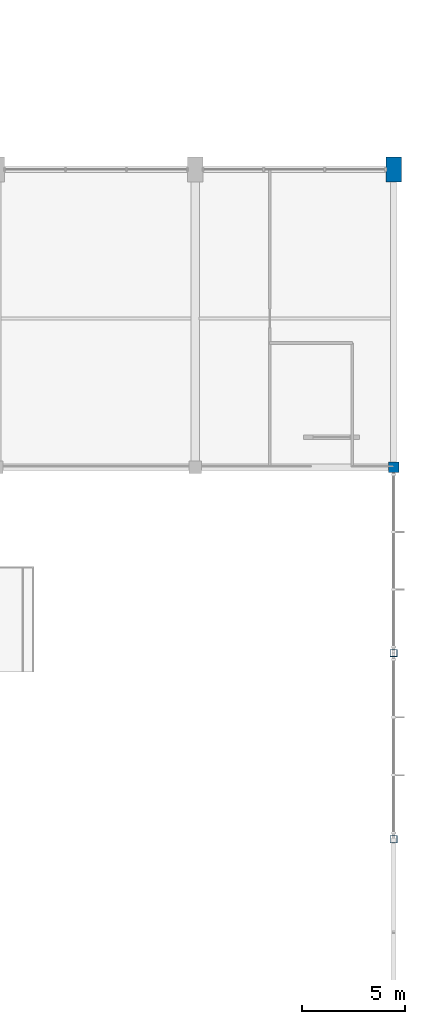
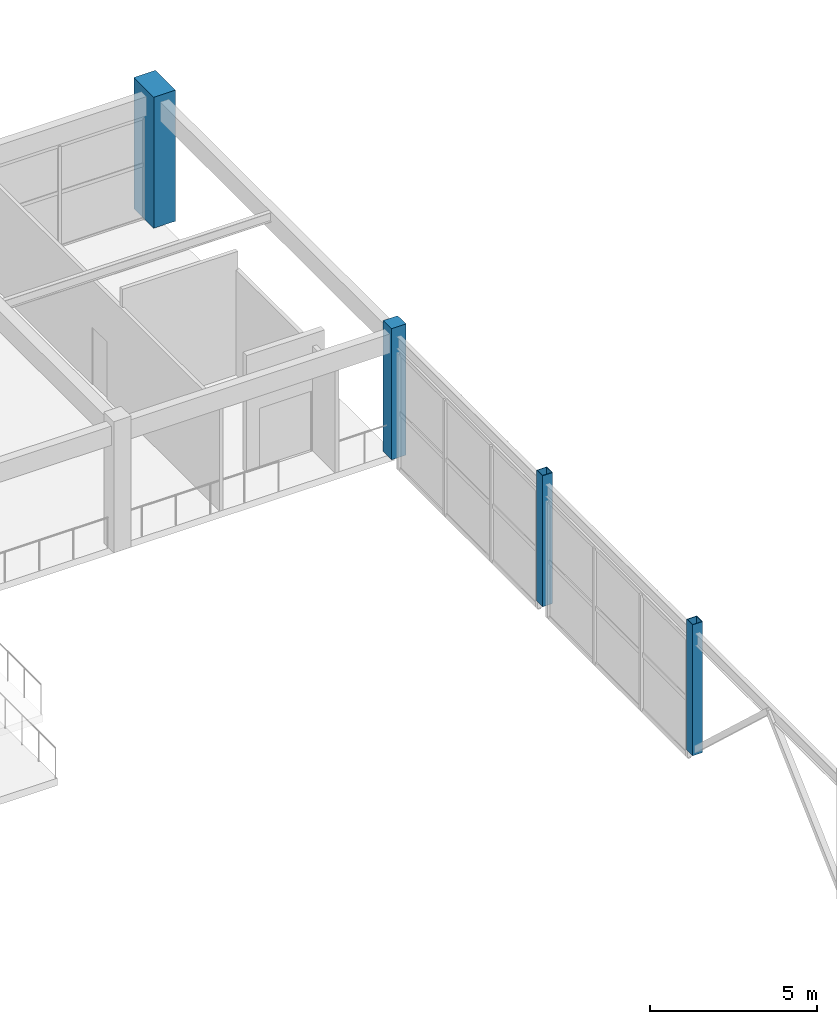
# One storey, part 12 of 74: 4 columns.
"""IFC4 building model written with IfcOpenShell, lengths in metres."""

import ifcopenshell
import ifcopenshell.guid

model = None  # the IFC model being written
_history = None  # IfcOwnerHistory: only IFC2X3 demands one
_inside = {}  # id of a spatial element -> (the spatial element, [elements in it])
_under = {}  # id of a project, library or spatial element -> (it, [spatial elements below it])
_declared = {}  # id of a project -> (the project, [libraries it declares])
_typed = {}  # id of a type object -> (the type object, [elements of that type])
_made_of = {}  # id of a material, layer set ... -> (it, [elements and type objects made of it])


def new_model(schema):
    """Start an empty IFC model of exactly this schema.

    Asked for "IFC4X3", IfcOpenShell would pick the latest addendum, in which some entities
    have other attributes; the version numbers below select the first issue.
    IFC2X3 requires an IfcOwnerHistory on every rooted entity: one is made here for all.
    """
    global model, _history
    if schema == "IFC4X3":
        model = ifcopenshell.file(schema_version=(4, 3, 0, 0))
    else:
        model = ifcopenshell.file(schema=schema)
    _inside.clear()
    _under.clear()
    _declared.clear()
    _typed.clear()
    _made_of.clear()
    _history = None
    if model.schema == "IFC2X3":
        org = make("IfcOrganization", Name="unknown")
        user = make(
            "IfcPersonAndOrganization",
            ThePerson=make("IfcPerson", FamilyName="unknown"),
            TheOrganization=org,
        )
        app = make(
            "IfcApplication",
            ApplicationDeveloper=org,
            Version="unknown",
            ApplicationFullName="unknown",
            ApplicationIdentifier="unknown",
        )
        _history = make(
            "IfcOwnerHistory",
            OwningUser=user,
            OwningApplication=app,
            ChangeAction="ADDED",
            CreationDate=0,
        )
    return model


def make(cls, **values):
    """One entity of the class cls with the attributes given. An attribute that is None is left unset."""
    return model.create_entity(
        cls, **{name: value for name, value in values.items() if value is not None}
    )


def rooted(cls, **values):
    """An entity with a GlobalId (a new one), such as an element, a storey or a relation."""
    return make(cls, GlobalId=ifcopenshell.guid.new(), OwnerHistory=_history, **values)


def si_unit(unit_type, name, prefix=None):
    """IfcSIUnit, for example si_unit("LENGTHUNIT", "METRE", prefix="MILLI")."""
    return make("IfcSIUnit", UnitType=unit_type, Prefix=prefix, Name=name)


def assignment(units):
    """IfcUnitAssignment: the units of a project."""
    return None if units is None else make("IfcUnitAssignment", Units=units)


def point(xyz):
    """IfcCartesianPoint."""
    return None if xyz is None else make("IfcCartesianPoint", Coordinates=xyz)


def direction(xyz):
    """IfcDirection."""
    return None if xyz is None else make("IfcDirection", DirectionRatios=xyz)


def frame(location, z_axis=None, x_axis=None):
    """IfcAxis2Placement3D, a coordinate frame: its origin and axes. An axis left out is left unset."""
    return make(
        "IfcAxis2Placement3D",
        Location=point(location),
        Axis=direction(z_axis),
        RefDirection=direction(x_axis),
    )


def frame_2d(location, x_axis=None):
    """IfcAxis2Placement2D, a coordinate frame in the plane: its origin and x axis."""
    return make(
        "IfcAxis2Placement2D", Location=point(location), RefDirection=direction(x_axis)
    )


def origin():
    """The frame at (0, 0, 0) with its axes left unset."""
    return frame((0.0, 0.0, 0.0))


def origin_2d():
    """The frame at (0, 0) in the plane with its x axis left unset."""
    return frame_2d((0.0, 0.0))


def place(relative_to, where):
    """IfcLocalPlacement: puts the frame where relative to a parent placement (None: the world)."""
    return make(
        "IfcLocalPlacement", PlacementRelTo=relative_to, RelativePlacement=where
    )


def context(
    kind, dimensions, precision=None, world=None, true_north=None, identifier=None
):
    """IfcGeometricRepresentationContext, for example the 3D "Model" context."""
    return make(
        "IfcGeometricRepresentationContext",
        ContextIdentifier=identifier,
        ContextType=kind,
        CoordinateSpaceDimension=dimensions,
        Precision=precision,
        WorldCoordinateSystem=world,
        TrueNorth=true_north,
    )


def subcontext(parent, identifier, kind, view, scale=None):
    """IfcGeometricRepresentationSubContext, for example "Body" below "Model"."""
    return make(
        "IfcGeometricRepresentationSubContext",
        ContextIdentifier=identifier,
        ContextType=kind,
        ParentContext=parent,
        TargetScale=scale,
        TargetView=view,
    )


def project(units=None, contexts=None):
    """IfcProject with its units and contexts."""
    return rooted(
        "IfcProject",
        Name="project",
        RepresentationContexts=contexts,
        UnitsInContext=assignment(units),
    )


def spatial(cls, under=None, at=None, **own):
    """A site, building, storey or space (cls), placed at a placement, below another one or the project."""
    s = rooted(cls, ObjectPlacement=at, **own)
    if under is not None:
        _under.setdefault(under.id(), (under, []))[1].append(s)
    return s


def profile(cls, at=None, kind="AREA", **sizes):
    """A parametric profile (cls). Its sizes go by their IFC names, for example OverallWidth=200.0."""
    return make(cls, ProfileType=kind, Position=at, **sizes)


def rectangle(**sizes):
    """IfcRectangleProfileDef."""
    return profile("IfcRectangleProfileDef", **sizes)


def hollow_rectangle(**sizes):
    """IfcRectangleHollowProfileDef."""
    return profile("IfcRectangleHollowProfileDef", **sizes)


def extrude(swept, where, along, depth):
    """IfcExtrudedAreaSolid: the profile swept, set in the frame where, extruded along a direction by depth."""
    return make(
        "IfcExtrudedAreaSolid",
        SweptArea=swept,
        Position=where,
        ExtrudedDirection=direction(along),
        Depth=depth,
    )


def shape(context_of_items, identifier, shape_type, items):
    """IfcShapeRepresentation: the items that make up one representation, for example the "Body"."""
    return make(
        "IfcShapeRepresentation",
        ContextOfItems=context_of_items,
        RepresentationIdentifier=identifier,
        RepresentationType=shape_type,
        Items=items,
    )


def material(Name=None, Category=None):
    """IfcMaterial."""
    return make("IfcMaterial", Name=Name, Category=Category)


def material_profile(
    of_material, cross_section, Name=None, Category=None, Priority=None
):
    """IfcMaterialProfile: a cross section and its material."""
    return make(
        "IfcMaterialProfile",
        Name=Name,
        Material=of_material,
        Profile=cross_section,
        Priority=Priority,
        Category=Category,
    )


def profile_set(profiles, Name=None, composite=None):
    """IfcMaterialProfileSet."""
    return make(
        "IfcMaterialProfileSet",
        Name=Name,
        MaterialProfiles=profiles,
        CompositeProfile=composite,
    )


def made_of(thing, what):
    """Note that an element or type object is made of a material, layer set ...; save() writes the relation."""
    if what is not None:
        _made_of.setdefault(what.id(), (what, []))[1].append(thing)
    return thing


def type_object(cls, material=None, **own):
    """A type object (cls), such as IfcWallType, which elements share."""
    return made_of(rooted(cls, **own), material)


def element(
    cls,
    number,
    at=None,
    inside=None,
    cuts=None,
    type_object=None,
    material=None,
    context=None,
    identifier="Body",
    shape_type=None,
    held_by="IfcProductDefinitionShape",
    body=None,
    shapes=None,
    **own,
):
    """One element of the class cls, such as IfcWall. Its Tag is "e" and its number.

    at: its placement. inside: the storey or other place that contains it. cuts: it is an
    opening in that element (IfcRelVoidsElement). A single representation is given by context,
    identifier, shape_type and body (its items); several are given by shapes. held_by: the class
    of the entity that holds the representations. save() writes the other relations.
    """
    e = rooted(cls, Tag="e%d" % number, ObjectPlacement=at, **own)
    if body is not None:
        shapes = [shape(context, identifier, shape_type, body)]
    if shapes is not None:
        e.Representation = make(held_by, Representations=shapes)
    if inside is not None:
        _inside.setdefault(inside.id(), (inside, []))[1].append(e)
    if cuts is not None:
        rooted(
            "IfcRelVoidsElement", RelatingBuildingElement=cuts, RelatedOpeningElement=e
        )
    if type_object is not None:
        _typed.setdefault(type_object.id(), (type_object, []))[1].append(e)
    return made_of(e, material)


def aggregate(whole, parts):
    """IfcRelAggregates: a whole, such as a stair, and the parts it consists of."""
    return rooted("IfcRelAggregates", RelatingObject=whole, RelatedObjects=parts)


def save(model, path):
    """Write the relations noted so far, then the file.

    IfcRelAggregates (storeys below a building ...), IfcRelContainedInSpatialStructure (elements
    in a storey), IfcRelDefinesByType, IfcRelAssociatesMaterial and IfcRelDeclares: one each for
    every whole, place, type object, material and project.
    """
    for whole, parts in _under.values():
        aggregate(whole, parts)
    for where, things in _inside.values():
        rooted(
            "IfcRelContainedInSpatialStructure",
            RelatedElements=things,
            RelatingStructure=where,
        )
    for kind, things in _typed.values():
        rooted("IfcRelDefinesByType", RelatedObjects=things, RelatingType=kind)
    for what, things in _made_of.values():
        rooted("IfcRelAssociatesMaterial", RelatedObjects=things, RelatingMaterial=what)
    for by, libraries in _declared.values():
        rooted("IfcRelDeclares", RelatingContext=by, RelatedDefinitions=libraries)
    model.write(path)


model = new_model("IFC4")

# Units and contexts
model_context = context("Model", 3, precision=1e-05, world=origin(), true_north=direction((0.0, 1.0)))
body_context = subcontext(model_context, "Body", "Model", "MODEL_VIEW")
ifc_project = project(units=[si_unit("LENGTHUNIT", "METRE"), si_unit("AREAUNIT", "SQUARE_METRE"), si_unit("VOLUMEUNIT", "CUBIC_METRE"), si_unit("PLANEANGLEUNIT", "RADIAN"), si_unit("MASSUNIT", "GRAM", prefix="KILO")], contexts=[model_context])

# Site, building, storey
site_placement = place(None, origin())
site = spatial("IfcSite", under=ifc_project, at=site_placement, CompositionType="ELEMENT")
building_placement = place(site_placement, origin())
building = spatial("IfcBuilding", under=site, at=building_placement, Name="Suirenkawa Promenade Aquatics Centre", CompositionType="ELEMENT")
storey_placement = place(building_placement, frame((0.0, 0.0, 4.800048828125)))
storey = spatial("IfcBuildingStorey", under=building, at=storey_placement, Name="L01", CompositionType="ELEMENT", Elevation=4.800048828125)

# Columns
ifc_material_1 = material(Name="Concrete M40", Category="concrete")
ifc_material_profile_1 = material_profile(ifc_material_1, rectangle(XDim=0.75, YDim=1.199951171875, at=origin_2d()), Name="RC PIER 750x1200", Category="concrete")
ifc_profile_set_1 = profile_set([ifc_material_profile_1], Name="Concrete M40")
column_type_1 = type_object("IfcColumnType", Name="CT-PIER-750x1200", PredefinedType="COLUMN", material=ifc_profile_set_1)
column_1_placement = place(storey_placement, frame((194.39990234375, 100.800048828125, 0.0), z_axis=(0.0, 0.0, 1.0), x_axis=(1.0, 0.0, 0.0)))
element("IfcColumn", 1, at=column_1_placement, inside=storey, type_object=column_type_1, Name="Column CL-08 COL-0033", PredefinedType="COLUMN", context=body_context, shape_type="SweptSolid", body=[
    extrude(rectangle(XDim=0.75, YDim=1.199951171875, at=origin_2d()), origin(), (0.0, 0.0, 1.0), 4.800048828125),
])
ifc_material_profile_2 = material_profile(ifc_material_1, rectangle(XDim=0.5, YDim=0.5, at=origin_2d()), Name="RC COL 500x500", Category="concrete")
ifc_profile_set_2 = profile_set([ifc_material_profile_2], Name="Concrete M40")
column_type_2 = type_object("IfcColumnType", Name="CT-RC-500", PredefinedType="COLUMN", material=ifc_profile_set_2)
column_2_placement = place(storey_placement, frame((194.39990234375, 86.39990234375, 0.0), z_axis=(0.0, 0.0, 1.0), x_axis=(1.0, 0.0, 0.0)))
element("IfcColumn", 2, at=column_2_placement, inside=storey, type_object=column_type_2, Name="Column CL-02 COL-0614", PredefinedType="COLUMN", context=body_context, shape_type="SweptSolid", body=[
    extrude(rectangle(XDim=0.5, YDim=0.5, at=origin_2d()), origin(), (0.0, 0.0, 1.0), 4.800048828125),
])
ifc_material_2 = material(Name="Steel IS 2062 E350 (Grade 350)", Category="steel")
ifc_material_profile_3 = material_profile(ifc_material_2, hollow_rectangle(XDim=0.35009765625, YDim=0.35009765625, WallThickness=0.01611328125, at=origin_2d()), Name="SHS 350x350x16", Category="steel")
ifc_profile_set_3 = profile_set([ifc_material_profile_3], Name="Steel IS 2062 E350 (Grade 350)")
column_type_3 = type_object("IfcColumnType", Name="CT-STL-SHS350", PredefinedType="COLUMN", material=ifc_profile_set_3)
for number, where, z_axis, x_axis, name in (
    (3, (194.39990234375, 68.39990234375, 0.0), (0.0, 0.0, 1.0), (1.0, 0.0, 0.0), "Column CL-15 COL-0634"),
    (4, (194.39990234375, 77.39990234375, 0.0), (0.0, 0.0, 1.0), (1.0, 0.0, 0.0), "Column CL-15 COL-0638"),
):
    element("IfcColumn", number, at=place(storey_placement, frame(where, z_axis=z_axis, x_axis=x_axis)), inside=storey, type_object=column_type_3, Name=name, PredefinedType="COLUMN", context=body_context, shape_type="SweptSolid", body=[
        extrude(hollow_rectangle(XDim=0.35009765625, YDim=0.35009765625, WallThickness=0.01611328125, at=origin_2d()), origin(), (0.0, 0.0, 1.0), 4.800048828125),
    ])

save(model, "model.ifc")
